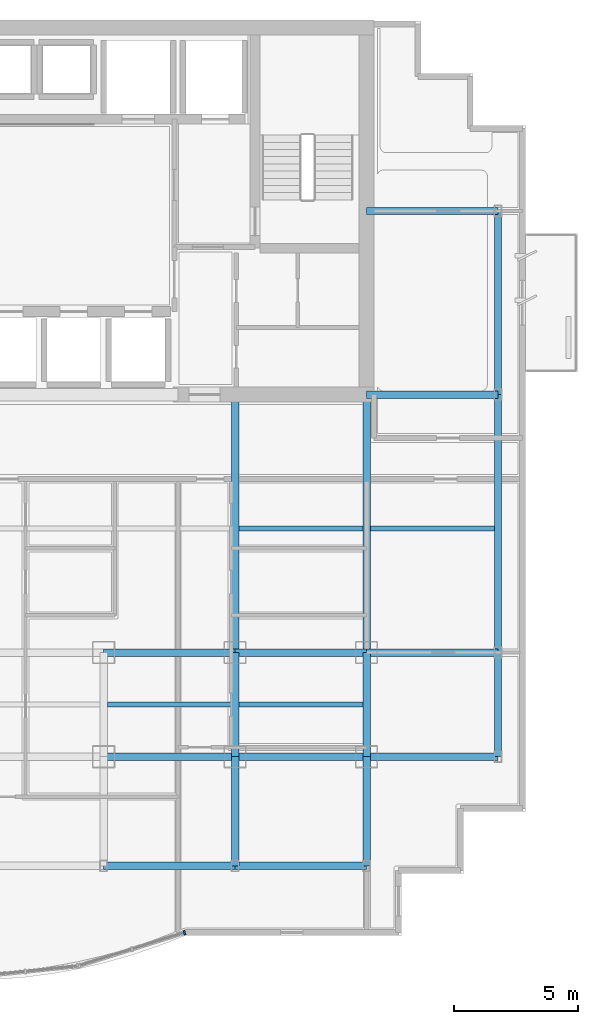
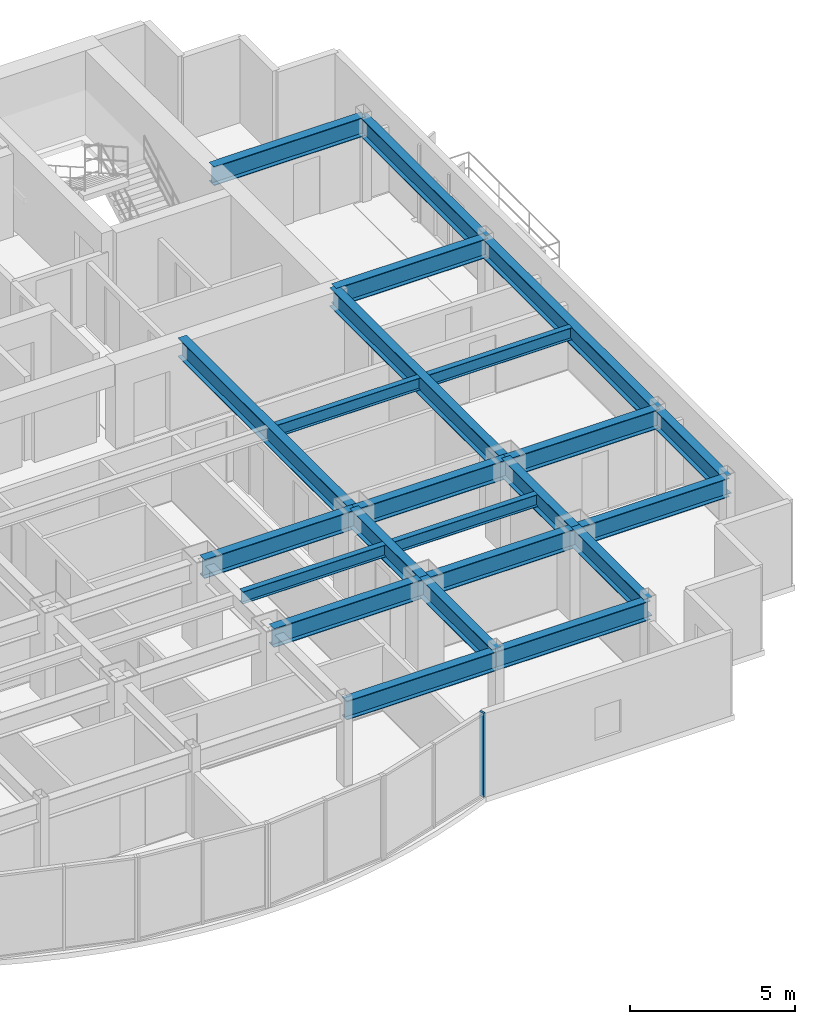
# One storey, part 4 of 11: 23 beams, 1 member, 1 element without a shape of its own.
"""IFC4 building model written with IfcOpenShell, lengths in metres."""

from ifc_helpers import new_model, si_unit, direction, frame, origin, origin_2d, place, context, subcontext, project, spatial, rectangle, i_section, extrude, source, transform, mapped, material, layer, layer_set, material_profile, profile_set, type_object, element, aggregate, save


model = new_model("IFC4")

# Units and contexts
model_context = context("Model", 3, precision=1e-05, world=origin(), true_north=direction((0.0, 1.0)))
body_context = subcontext(model_context, "Body", "Model", "MODEL_VIEW")
ifc_project = project(units=[si_unit("LENGTHUNIT", "METRE"), si_unit("AREAUNIT", "SQUARE_METRE"), si_unit("VOLUMEUNIT", "CUBIC_METRE"), si_unit("PLANEANGLEUNIT", "RADIAN"), si_unit("MASSUNIT", "GRAM", prefix="KILO")], contexts=[model_context])

# Site, building, storey
site_placement = place(None, origin())
site = spatial("IfcSite", under=ifc_project, at=site_placement, CompositionType="ELEMENT")
building_placement = place(site_placement, origin())
building = spatial("IfcBuilding", under=site, at=building_placement, Name="Qianlan Lanfeng Residences", CompositionType="ELEMENT")
storey_placement = place(building_placement, frame((0.0, 0.0, 155.699951171875)))
storey = spatial("IfcBuildingStorey", under=building, at=storey_placement, Name="L42", CompositionType="ELEMENT", Elevation=155.699951171875)

# Beams
ifc_material_1 = material(Name="Steel SN490B", Category="steel")
ifc_material_profile_1 = material_profile(ifc_material_1, i_section(OverallWidth=0.300048828125, OverallDepth=0.699951171875, WebThickness=0.012939453125, FlangeThickness=0.02392578125, at=origin_2d()), Name="H 700x300x13x24")
ifc_profile_set_1 = profile_set([ifc_material_profile_1], Name="Steel SN490B")
beam_type_1 = type_object("IfcBeamType", Name="G-750", PredefinedType="BEAM", material=ifc_profile_set_1)
beam_1_placement = place(storey_placement, frame((31.800048828125, 10.60009765625, 2.75), z_axis=(1.0, 0.0, 0.0), x_axis=(0.0, 1.0, 0.0)))
element("IfcBeam", 1, at=beam_1_placement, inside=storey, type_object=beam_type_1, Name="Structural beam G-750", PredefinedType="BEAM", context=body_context, shape_type="SweptSolid", body=[
    extrude(i_section(OverallWidth=0.300048828125, OverallDepth=0.699951171875, WebThickness=0.012939453125, FlangeThickness=0.02392578125, at=origin_2d()), origin(), (0.0, 0.0, 1.0), 5.300048828125),
])
beam_2_placement = place(storey_placement, frame((37.10009765625, 10.60009765625, 2.75), z_axis=(1.0, 0.0, 0.0), x_axis=(0.0, 1.0, 0.0)))
element("IfcBeam", 2, at=beam_2_placement, inside=storey, type_object=beam_type_1, Name="Structural beam G-750", PredefinedType="BEAM", context=body_context, shape_type="SweptSolid", body=[
    extrude(i_section(OverallWidth=0.300048828125, OverallDepth=0.699951171875, WebThickness=0.012939453125, FlangeThickness=0.02392578125, at=origin_2d()), origin(), (0.0, 0.0, 1.0), 5.2998046875),
])
for number, where, z_axis, x_axis, name in (
    (3, (42.39990234375, 10.60009765625, 2.75), (1.0, 0.0, 0.0), (0.0, 1.0, 0.0), "Structural beam G-750"),
    (4, (31.800048828125, 14.800048828125, 2.75), (1.0, 0.0, 0.0), (0.0, 1.0, 0.0), "Structural beam G-750"),
):
    element("IfcBeam", number, at=place(storey_placement, frame(where, z_axis=z_axis, x_axis=x_axis)), inside=storey, type_object=beam_type_1, Name=name, PredefinedType="BEAM", context=body_context, shape_type="SweptSolid", body=[
        extrude(i_section(OverallWidth=0.300048828125, OverallDepth=0.699951171875, WebThickness=0.012939453125, FlangeThickness=0.02392578125, at=origin_2d()), origin(), (0.0, 0.0, 1.0), 5.300048828125),
    ])
beam_3_placement = place(storey_placement, frame((37.10009765625, 14.800048828125, 2.75), z_axis=(1.0, 0.0, 0.0), x_axis=(0.0, 1.0, 0.0)))
element("IfcBeam", 5, at=beam_3_placement, inside=storey, type_object=beam_type_1, Name="Structural beam G-750", PredefinedType="BEAM", context=body_context, shape_type="SweptSolid", body=[
    extrude(i_section(OverallWidth=0.300048828125, OverallDepth=0.699951171875, WebThickness=0.012939453125, FlangeThickness=0.02392578125, at=origin_2d()), origin(), (0.0, 0.0, 1.0), 5.2998046875),
])
for number, where, z_axis, x_axis, name in (
    (6, (42.39990234375, 14.800048828125, 2.75), (1.0, 0.0, 0.0), (0.0, 1.0, 0.0), "Structural beam G-750"),
    (7, (42.39990234375, 25.199951171875, 2.75), (1.0, 0.0, 0.0), (0.0, 1.0, 0.0), "Structural beam G-750"),
    (8, (42.39990234375, 32.60009765625, 2.75), (1.0, 0.0, 0.0), (0.0, 1.0, 0.0), "Structural beam G-750"),
):
    element("IfcBeam", number, at=place(storey_placement, frame(where, z_axis=z_axis, x_axis=x_axis)), inside=storey, type_object=beam_type_1, Name=name, PredefinedType="BEAM", context=body_context, shape_type="SweptSolid", body=[
        extrude(i_section(OverallWidth=0.300048828125, OverallDepth=0.699951171875, WebThickness=0.012939453125, FlangeThickness=0.02392578125, at=origin_2d()), origin(), (0.0, 0.0, 1.0), 5.300048828125),
    ])
beam_4_placement = place(storey_placement, frame((37.10009765625, 6.199951171875, 2.75), z_axis=(0.0, 1.0, 0.0), x_axis=(-1.0, 0.0, 0.0)))
element("IfcBeam", 9, at=beam_4_placement, inside=storey, type_object=beam_type_1, Name="Structural beam G-750", PredefinedType="BEAM", context=body_context, shape_type="SweptSolid", body=[
    extrude(i_section(OverallWidth=0.300048828125, OverallDepth=0.699951171875, WebThickness=0.012939453125, FlangeThickness=0.02392578125, at=origin_2d()), origin(), (0.0, 0.0, 1.0), 4.400146484375),
])
beam_5_placement = place(storey_placement, frame((37.10009765625, 10.60009765625, 2.75), z_axis=(0.0, 1.0, 0.0), x_axis=(-1.0, 0.0, 0.0)))
element("IfcBeam", 10, at=beam_5_placement, inside=storey, type_object=beam_type_1, Name="Structural beam G-750", PredefinedType="BEAM", context=body_context, shape_type="SweptSolid", body=[
    extrude(i_section(OverallWidth=0.300048828125, OverallDepth=0.699951171875, WebThickness=0.012939453125, FlangeThickness=0.02392578125, at=origin_2d()), origin(), (0.0, 0.0, 1.0), 4.199951171875),
])
beam_6_placement = place(storey_placement, frame((37.10009765625, 14.800048828125, 2.75), z_axis=(0.0, 1.0, 0.0), x_axis=(-1.0, 0.0, 0.0)))
element("IfcBeam", 11, at=beam_6_placement, inside=storey, type_object=beam_type_1, Name="Structural beam G-750", PredefinedType="BEAM", context=body_context, shape_type="SweptSolid", body=[
    extrude(i_section(OverallWidth=0.300048828125, OverallDepth=0.699951171875, WebThickness=0.012939453125, FlangeThickness=0.02392578125, at=origin_2d()), origin(), (0.0, 0.0, 1.0), 10.39990234375),
])
beam_7_placement = place(storey_placement, frame((42.39990234375, 6.199951171875, 2.75), z_axis=(0.0, 1.0, 0.0), x_axis=(-1.0, 0.0, 0.0)))
element("IfcBeam", 12, at=beam_7_placement, inside=storey, type_object=beam_type_1, Name="Structural beam G-750", PredefinedType="BEAM", context=body_context, shape_type="SweptSolid", body=[
    extrude(i_section(OverallWidth=0.300048828125, OverallDepth=0.699951171875, WebThickness=0.012939453125, FlangeThickness=0.02392578125, at=origin_2d()), origin(), (0.0, 0.0, 1.0), 4.400146484375),
])
beam_8_placement = place(storey_placement, frame((42.39990234375, 10.60009765625, 2.75), z_axis=(0.0, 1.0, 0.0), x_axis=(-1.0, 0.0, 0.0)))
element("IfcBeam", 13, at=beam_8_placement, inside=storey, type_object=beam_type_1, Name="Structural beam G-750", PredefinedType="BEAM", context=body_context, shape_type="SweptSolid", body=[
    extrude(i_section(OverallWidth=0.300048828125, OverallDepth=0.699951171875, WebThickness=0.012939453125, FlangeThickness=0.02392578125, at=origin_2d()), origin(), (0.0, 0.0, 1.0), 4.199951171875),
])
beam_9_placement = place(storey_placement, frame((42.39990234375, 14.800048828125, 2.75), z_axis=(0.0, 1.0, 0.0), x_axis=(-1.0, 0.0, 0.0)))
element("IfcBeam", 14, at=beam_9_placement, inside=storey, type_object=beam_type_1, Name="Structural beam G-750", PredefinedType="BEAM", context=body_context, shape_type="SweptSolid", body=[
    extrude(i_section(OverallWidth=0.300048828125, OverallDepth=0.699951171875, WebThickness=0.012939453125, FlangeThickness=0.02392578125, at=origin_2d()), origin(), (0.0, 0.0, 1.0), 10.39990234375),
])
ifc_material_profile_2 = material_profile(ifc_material_1, i_section(OverallWidth=0.199951171875, OverallDepth=0.449951171875, WebThickness=0.009033203125, FlangeThickness=0.013916015625, at=origin_2d()), Name="H 450x200x9x14")
ifc_profile_set_2 = profile_set([ifc_material_profile_2], Name="Steel SN490B")
beam_type_2 = type_object("IfcBeamType", Name="J-450", PredefinedType="JOIST", material=ifc_profile_set_2)
for number, where, z_axis, x_axis, name in (
    (15, (31.949951171875, 12.699951171875, 2.875), (1.0, 0.0, 0.0), (0.0, 1.0, 0.0), "Structural beam J-450"),
    (16, (37.25, 12.699951171875, 2.875), (1.0, 0.0, 0.0), (0.0, 1.0, 0.0), "Structural beam J-450"),
    (17, (37.25, 19.800048828125, 2.875), (1.0, 0.0, 0.0), (0.0, 1.0, 0.0), "Structural beam J-450"),
    (18, (42.550048828125, 19.800048828125, 2.875), (1.0, 0.0, 0.0), (0.0, 1.0, 0.0), "Structural beam J-450"),
):
    element("IfcBeam", number, at=place(storey_placement, frame(where, z_axis=z_axis, x_axis=x_axis)), inside=storey, type_object=beam_type_2, Name=name, PredefinedType="JOIST", context=body_context, shape_type="SweptSolid", body=[
        extrude(i_section(OverallWidth=0.199951171875, OverallDepth=0.449951171875, WebThickness=0.009033203125, FlangeThickness=0.013916015625, at=origin_2d()), origin(), (0.0, 0.0, 1.0), 5.0),
    ])
ifc_material_profile_3 = material_profile(ifc_material_1, i_section(OverallWidth=0.300048828125, OverallDepth=0.699951171875, WebThickness=0.012939453125, FlangeThickness=0.02392578125, at=origin_2d()), Name="H 700x300x13x24")
ifc_profile_set_3 = profile_set([ifc_material_profile_3], Name="Steel SN490B")
beam_type_3 = type_object("IfcBeamType", Name="SG-750", PredefinedType="SPANDREL", material=ifc_profile_set_3)
beam_10_placement = place(storey_placement, frame((31.800048828125, 6.199951171875, 2.739990234375), z_axis=(1.0, 0.0, 0.0), x_axis=(0.0, 1.0, 0.0)))
element("IfcBeam", 19, at=beam_10_placement, inside=storey, type_object=beam_type_3, Name="Structural beam SG-750", PredefinedType="SPANDREL", context=body_context, shape_type="SweptSolid", body=[
    extrude(i_section(OverallWidth=0.300048828125, OverallDepth=0.699951171875, WebThickness=0.012939453125, FlangeThickness=0.02392578125, at=origin_2d()), origin(), (0.0, 0.0, 1.0), 5.300048828125),
])
beam_11_placement = place(storey_placement, frame((37.10009765625, 6.199951171875, 2.739990234375), z_axis=(1.0, 0.0, 0.0), x_axis=(0.0, 1.0, 0.0)))
element("IfcBeam", 20, at=beam_11_placement, inside=storey, type_object=beam_type_3, Name="Structural beam SG-750", PredefinedType="SPANDREL", context=body_context, shape_type="SweptSolid", body=[
    extrude(i_section(OverallWidth=0.300048828125, OverallDepth=0.699951171875, WebThickness=0.012939453125, FlangeThickness=0.02392578125, at=origin_2d()), origin(), (0.0, 0.0, 1.0), 5.2998046875),
])
beam_12_placement = place(storey_placement, frame((47.699951171875, 10.60009765625, 2.739990234375), z_axis=(0.0, 1.0, 0.0), x_axis=(-1.0, 0.0, 0.0)))
element("IfcBeam", 21, at=beam_12_placement, inside=storey, type_object=beam_type_3, Name="Structural beam SG-750", PredefinedType="SPANDREL", context=body_context, shape_type="SweptSolid", body=[
    extrude(i_section(OverallWidth=0.300048828125, OverallDepth=0.699951171875, WebThickness=0.012939453125, FlangeThickness=0.02392578125, at=origin_2d()), origin(), (0.0, 0.0, 1.0), 4.199951171875),
])
beam_13_placement = place(storey_placement, frame((47.699951171875, 14.800048828125, 2.739990234375), z_axis=(0.0, 1.0, 0.0), x_axis=(-1.0, 0.0, 0.0)))
element("IfcBeam", 22, at=beam_13_placement, inside=storey, type_object=beam_type_3, Name="Structural beam SG-750", PredefinedType="SPANDREL", context=body_context, shape_type="SweptSolid", body=[
    extrude(i_section(OverallWidth=0.300048828125, OverallDepth=0.699951171875, WebThickness=0.012939453125, FlangeThickness=0.02392578125, at=origin_2d()), origin(), (0.0, 0.0, 1.0), 10.39990234375),
])
beam_14_placement = place(storey_placement, frame((47.699951171875, 25.199951171875, 2.739990234375), z_axis=(0.0, 1.0, 0.0), x_axis=(-1.0, 0.0, 0.0)))
element("IfcBeam", 23, at=beam_14_placement, inside=storey, type_object=beam_type_3, Name="Structural beam SG-750", PredefinedType="SPANDREL", context=body_context, shape_type="SweptSolid", body=[
    extrude(i_section(OverallWidth=0.300048828125, OverallDepth=0.699951171875, WebThickness=0.012939453125, FlangeThickness=0.02392578125, at=origin_2d()), origin(), (0.0, 0.0, 1.0), 7.400146484375),
])

# Curtain wall, member
ifc_material_2 = material(Name="Anodised Bronze Aluminium 6063-T6", Category="aluminium")
ifc_layer = layer(ifc_material_2, 0.219970703125)
ifc_layer_set = layer_set([ifc_layer], Name="Anodised Bronze Aluminium 6063-T6")
curtain_wall_type = type_object("IfcCurtainWallType", Name="CW-04", PredefinedType="NOTDEFINED", material=ifc_layer_set)
curtain_wall_placement = place(storey_placement, origin())
curtain_wall = element("IfcCurtainWall", 24, at=curtain_wall_placement, inside=storey, type_object=curtain_wall_type, Name="L42 Unitised Curtain Wall CWR-L42-05 (CW-04)", PredefinedType="NOTDEFINED")
ifc_material_profile_4 = material_profile(ifc_material_2, rectangle(XDim=0.074951171875, YDim=0.179931640625, at=origin_2d()), Name="ALU MULLION 75x180")
ifc_profile_set_4 = profile_set([ifc_material_profile_4], Name="Anodised Bronze Aluminium 6063-T6")
member_type = type_object("IfcMemberType", Name="CWM-180", PredefinedType="MULLION", material=ifc_profile_set_4)
shared_shape = source(origin(), body_context, "Body", "SweptSolid", [
    extrude(rectangle(XDim=0.074951171875, YDim=0.179931640625, at=origin_2d()), origin(), (0.0, 0.0, 1.0), 3.10009765625),
])
member_placement = place(storey_placement, frame((35.061279296875, 3.5087890625, 0.0), z_axis=(0.0, 0.0, 1.0), x_axis=(0.954195954421, 0.299182353367, 0.0)))
member = element("IfcMember", 25, at=member_placement, type_object=member_type, Name="CWR-L42-05 Mullion 3", PredefinedType="MULLION", context=body_context, shape_type="MappedRepresentation", body=[
    mapped(shared_shape, transform((0.0, 0.0, 0.0), scale=1.0)),
])
aggregate(curtain_wall, [member])

save(model, "model.ifc")
